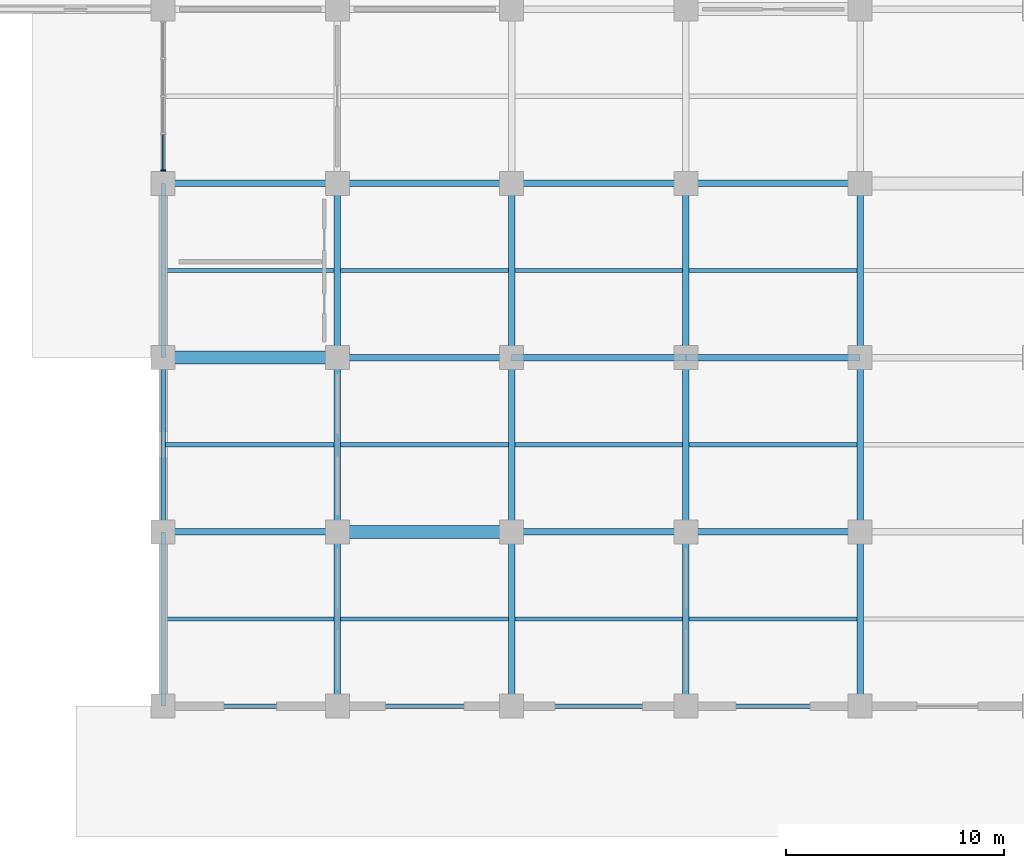
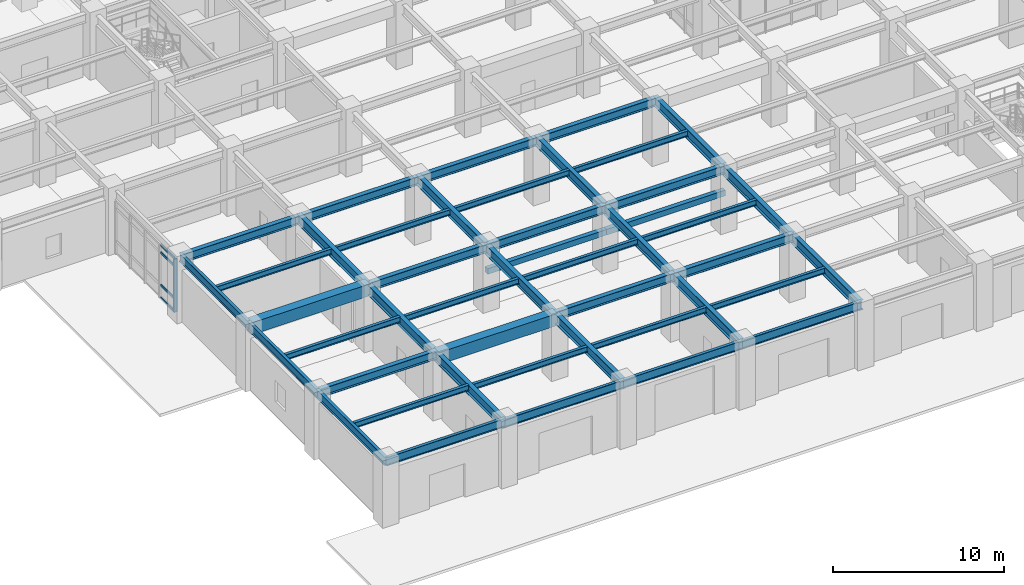
# One storey, part 22 of 125: 45 beams, 5 members, 1 element without a shape of its own.
"""IFC4 building model written with IfcOpenShell, lengths in metres."""

from ifc_helpers import new_model, si_unit, direction, frame, origin, origin_2d, place, context, subcontext, project, spatial, rectangle, i_section, extrude, material, layer, layer_set, material_profile, profile_set, type_object, element, aggregate, save


model = new_model("IFC4")

# Units and contexts
model_context = context("Model", 3, precision=1e-05, world=origin(), true_north=direction((0.0, 1.0)))
body_context = subcontext(model_context, "Body", "Model", "MODEL_VIEW")
ifc_project = project(units=[si_unit("LENGTHUNIT", "METRE"), si_unit("AREAUNIT", "SQUARE_METRE"), si_unit("VOLUMEUNIT", "CUBIC_METRE"), si_unit("PLANEANGLEUNIT", "RADIAN"), si_unit("MASSUNIT", "GRAM", prefix="KILO")], contexts=[model_context])

# Site, building, storey
site_placement = place(None, origin())
site = spatial("IfcSite", under=ifc_project, at=site_placement, CompositionType="ELEMENT")
building_placement = place(site_placement, origin())
building = spatial("IfcBuilding", under=site, at=building_placement, Name="Haebicheon Civic Stadium", CompositionType="ELEMENT")
storey_placement = place(building_placement, origin())
storey = spatial("IfcBuildingStorey", under=building, at=storey_placement, Name="L01", CompositionType="ELEMENT", Elevation=0.0)

# Beams
ifc_material_1 = material(Name="Precast concrete C40/50", Category="concrete")
ifc_material_profile_1 = material_profile(ifc_material_1, rectangle(XDim=0.300048828125, YDim=0.39990234375, at=origin_2d()), Name="PC-LN-300x400")
ifc_profile_set_1 = profile_set([ifc_material_profile_1], Name="Precast concrete C40/50")
beam_type_1 = type_object("IfcBeamType", Name="BM-LN-300x400", PredefinedType="LINTEL", material=ifc_profile_set_1)
for number, where, z_axis, x_axis, name in (
    (1, (40.0, 16.0, 2.550048828125), (1.0, 0.0, 0.0), (0.0, 1.0, 0.0), "Precast portal lintel 1"),
    (2, (48.0, 16.0, 2.550048828125), (1.0, 0.0, 0.0), (0.0, 1.0, 0.0), "Precast portal lintel 2"),
):
    element("IfcBeam", number, at=place(storey_placement, frame(where, z_axis=z_axis, x_axis=x_axis)), inside=storey, type_object=beam_type_1, material=ifc_profile_set_1, Name=name, PredefinedType="LINTEL", context=body_context, shape_type="SweptSolid", body=[
        extrude(rectangle(XDim=0.300048828125, YDim=0.39990234375, at=origin_2d()), origin(), (0.0, 0.0, 1.0), 8.0),
    ])
ifc_material_2 = material(Name="Steel SM355 (S355)", Category="steel")
ifc_material_profile_2 = material_profile(ifc_material_2, i_section(OverallWidth=0.300048828125, OverallDepth=0.60009765625, WebThickness=0.011962890625, FlangeThickness=0.02001953125, at=origin_2d()), Name="H-600x300x12x20")
ifc_profile_set_2 = profile_set([ifc_material_profile_2], Name="Steel SM355 (S355)")
beam_type_2 = type_object("IfcBeamType", Name="BM-ST-H600A", PredefinedType="BEAM", material=ifc_profile_set_2)
for number, where, z_axis, x_axis, name in (
    (3, (24.0, 8.0, 4.280029296875), (1.0, 0.0, 0.0), (0.0, 1.0, 0.0), "L01 beam B/4-5"),
    (4, (24.0, 24.0, 4.179931640625), (1.0, 0.0, 0.0), (0.0, 1.0, 0.0), "L01 beam D/4-5"),
    (5, (32.0, 16.0, 4.219970703125), (1.0, 0.0, 0.0), (0.0, 1.0, 0.0), "L01 beam C/5-6"),
    (6, (32.0, 24.0, 4.179931640625), (1.0, 0.0, 0.0), (0.0, 1.0, 0.0), "L01 beam D/5-6"),
    (7, (40.0, 8.0, 4.219970703125), (1.0, 0.0, 0.0), (0.0, 1.0, 0.0), "L01 beam B/6-7"),
    (8, (40.0, 16.0, 4.219970703125), (1.0, 0.0, 0.0), (0.0, 1.0, 0.0), "L01 beam C/6-7"),
    (9, (40.0, 24.0, 4.179931640625), (1.0, 0.0, 0.0), (0.0, 1.0, 0.0), "L01 beam D/6-7"),
    (10, (48.0, 8.0, 4.219970703125), (1.0, 0.0, 0.0), (0.0, 1.0, 0.0), "L01 beam B/7-8"),
    (11, (48.0, 16.0, 4.219970703125), (1.0, 0.0, 0.0), (0.0, 1.0, 0.0), "L01 beam C/7-8"),
    (12, (48.0, 24.0, 4.179931640625), (1.0, 0.0, 0.0), (0.0, 1.0, 0.0), "L01 beam D/7-8"),
):
    element("IfcBeam", number, at=place(storey_placement, frame(where, z_axis=z_axis, x_axis=x_axis)), inside=storey, type_object=beam_type_2, material=ifc_profile_set_2, Name=name, PredefinedType="BEAM", context=body_context, shape_type="SweptSolid", body=[
        extrude(i_section(OverallWidth=0.300048828125, OverallDepth=0.60009765625, WebThickness=0.011962890625, FlangeThickness=0.02001953125, at=origin_2d()), origin(), (0.0, 0.0, 1.0), 8.0),
    ])
ifc_material_3 = material(Name="Steel SM490", Category="steel")
ifc_material_profile_3 = material_profile(ifc_material_3, i_section(OverallWidth=0.300048828125, OverallDepth=0.699951171875, WebThickness=0.012939453125, FlangeThickness=0.02392578125, at=origin_2d()), Name="H-700x300x13x24")
ifc_profile_set_3 = profile_set([ifc_material_profile_3], Name="Steel SM490")
beam_type_3 = type_object("IfcBeamType", Name="BM-ST-H700", PredefinedType="BEAM", material=ifc_profile_set_3)
for number, where, z_axis, x_axis, name in (
    (13, (32.0, 0.0, 4.169921875), (0.0, 1.0, 0.0), (-1.0, 0.0, 0.0), "L01 girder 5/A-B"),
    (14, (32.0, 8.0, 4.169921875), (0.0, 1.0, 0.0), (-1.0, 0.0, 0.0), "L01 girder 5/B-C"),
    (15, (32.0, 16.0, 4.22998046875), (0.0, 1.0, 0.0), (-1.0, 0.0, 0.0), "L01 girder 5/C-D"),
    (16, (40.0, 0.0, 4.169921875), (0.0, 1.0, 0.0), (-1.0, 0.0, 0.0), "L01 girder 6/A-B"),
    (17, (40.0, 8.0, 4.169921875), (0.0, 1.0, 0.0), (-1.0, 0.0, 0.0), "L01 girder 6/B-C"),
    (18, (40.0, 16.0, 4.22998046875), (0.0, 1.0, 0.0), (-1.0, 0.0, 0.0), "L01 girder 6/C-D"),
    (19, (48.0, 0.0, 4.169921875), (0.0, 1.0, 0.0), (-1.0, 0.0, 0.0), "L01 girder 7/A-B"),
    (20, (48.0, 8.0, 4.169921875), (0.0, 1.0, 0.0), (-1.0, 0.0, 0.0), "L01 girder 7/B-C"),
    (21, (48.0, 16.0, 4.22998046875), (0.0, 1.0, 0.0), (-1.0, 0.0, 0.0), "L01 girder 7/C-D"),
    (22, (56.0, 0.0, 4.169921875), (0.0, 1.0, 0.0), (-1.0, 0.0, 0.0), "L01 girder 8/A-B"),
    (23, (56.0, 8.0, 4.169921875), (0.0, 1.0, 0.0), (-1.0, 0.0, 0.0), "L01 girder 8/B-C"),
    (24, (56.0, 16.0, 4.22998046875), (0.0, 1.0, 0.0), (-1.0, 0.0, 0.0), "L01 girder 8/C-D"),
):
    element("IfcBeam", number, at=place(storey_placement, frame(where, z_axis=z_axis, x_axis=x_axis)), inside=storey, type_object=beam_type_3, material=ifc_profile_set_3, Name=name, PredefinedType="BEAM", context=body_context, shape_type="SweptSolid", body=[
        extrude(i_section(OverallWidth=0.300048828125, OverallDepth=0.699951171875, WebThickness=0.012939453125, FlangeThickness=0.02392578125, at=origin_2d()), origin(), (0.0, 0.0, 1.0), 8.0),
    ])
ifc_material_4 = material(Name="Precast concrete C40/50", Category="concrete")
ifc_material_profile_4 = material_profile(ifc_material_4, rectangle(XDim=0.60009765625, YDim=0.85009765625, at=origin_2d()), Name="PC-TB-600x850")
ifc_profile_set_4 = profile_set([ifc_material_profile_4], Name="Precast concrete C40/50")
beam_type_4 = type_object("IfcBeamType", Name="BM-TB-600x850", PredefinedType="T_BEAM", material=ifc_profile_set_4)
for number, where, z_axis, x_axis, name in (
    (25, (24.0, 16.0, 4.155029296875), (1.0, 0.0, 0.0), (0.0, 1.0, 0.0), "L01 beam C/4-5"),
    (26, (32.0, 8.0, 4.094970703125), (1.0, 0.0, 0.0), (0.0, 1.0, 0.0), "L01 beam B/5-6"),
):
    element("IfcBeam", number, at=place(storey_placement, frame(where, z_axis=z_axis, x_axis=x_axis)), inside=storey, type_object=beam_type_4, material=ifc_profile_set_4, Name=name, PredefinedType="T_BEAM", context=body_context, shape_type="SweptSolid", body=[
        extrude(rectangle(XDim=0.60009765625, YDim=0.85009765625, at=origin_2d()), origin(), (0.0, 0.0, 1.0), 8.0),
    ])

# Curtain wall, members
ifc_material_5 = material(Name="Anodised aluminium and laminated glass", Category="aluminium")
ifc_layer = layer(ifc_material_5, 0.179931640625, Name="Anodised aluminium and laminated glass")
ifc_layer_set = layer_set([ifc_layer], Name="Anodised aluminium and laminated glass")
curtain_wall_type = type_object("IfcCurtainWallType", Name="CW-6900x3770", PredefinedType="NOTDEFINED", material=ifc_layer_set)
curtain_wall_placement = place(storey_placement, origin())
curtain_wall = element("IfcCurtainWall", 27, at=curtain_wall_placement, inside=storey, type_object=curtain_wall_type, material=ifc_layer_set, Name="L01 unitised curtain wall 002", PredefinedType="NOTDEFINED")
ifc_material_6 = material(Name="Anodised aluminium 6063-T6", Category="aluminium")
ifc_material_profile_5 = material_profile(ifc_material_6, rectangle(XDim=0.080078125, YDim=0.239990234375, at=origin_2d()), Name="ALU-MULL-80x240")
ifc_profile_set_5 = profile_set([ifc_material_profile_5], Name="Anodised aluminium 6063-T6")
member_type_1 = type_object("IfcMemberType", Name="CWM-240x80", PredefinedType="MULLION", material=ifc_profile_set_5)
member_1_placement = place(storey_placement, frame((24.0, 24.590087890625, 0.0), z_axis=(0.0, 0.0, 1.0), x_axis=(0.0, 1.0, 0.0)))
member_1 = element("IfcMember", 28, at=member_1_placement, type_object=member_type_1, material=ifc_profile_set_5, Name="CW-L01-002 vertical mullion 1", PredefinedType="MULLION", context=body_context, shape_type="SweptSolid", body=[
    extrude(rectangle(XDim=0.080078125, YDim=0.239990234375, at=origin_2d()), origin(), (0.0, 0.0, 1.0), 3.77001953125),
])
ifc_material_7 = material(Name="Anodised aluminium 6063-T6", Category="aluminium")
ifc_material_profile_6 = material_profile(ifc_material_7, rectangle(XDim=0.080078125, YDim=0.179931640625, at=origin_2d()), Name="ALU-TRAN-80x180")
ifc_profile_set_6 = profile_set([ifc_material_profile_6], Name="Anodised aluminium 6063-T6")
member_type_2 = type_object("IfcMemberType", Name="CWT-180x80", PredefinedType="NOTDEFINED", material=ifc_profile_set_6)
member_2_placement = place(storey_placement, frame((24.0, 24.6298828125, 0.0), z_axis=(0.0, 1.0, 0.0), x_axis=(-1.0, 0.0, 0.0)))
member_2 = element("IfcMember", 29, at=member_2_placement, type_object=member_type_2, material=ifc_profile_set_6, Name="CW-L01-002 horizontal transom 1.1", ObjectType="TRANSOM", PredefinedType="USERDEFINED", context=body_context, shape_type="SweptSolid", body=[
    extrude(rectangle(XDim=0.080078125, YDim=0.179931640625, at=origin_2d()), origin(), (0.0, 0.0, 1.0), 1.605224609375),
])
member_3_placement = place(storey_placement, frame((24.0, 24.6298828125, 0.89990234375), z_axis=(0.0, 1.0, 0.0), x_axis=(-1.0, 0.0, 0.0)))
member_3 = element("IfcMember", 30, at=member_3_placement, type_object=member_type_2, material=ifc_profile_set_6, Name="CW-L01-002 horizontal transom 1.2", ObjectType="TRANSOM", PredefinedType="USERDEFINED", context=body_context, shape_type="SweptSolid", body=[
    extrude(rectangle(XDim=0.080078125, YDim=0.179931640625, at=origin_2d()), origin(), (0.0, 0.0, 1.0), 1.605224609375),
])
member_4_placement = place(storey_placement, frame((24.0, 24.6298828125, 3.219970703125), z_axis=(0.0, 1.0, 0.0), x_axis=(-1.0, 0.0, 0.0)))
member_4 = element("IfcMember", 31, at=member_4_placement, type_object=member_type_2, material=ifc_profile_set_6, Name="CW-L01-002 horizontal transom 1.3", ObjectType="TRANSOM", PredefinedType="USERDEFINED", context=body_context, shape_type="SweptSolid", body=[
    extrude(rectangle(XDim=0.080078125, YDim=0.179931640625, at=origin_2d()), origin(), (0.0, 0.0, 1.0), 1.605224609375),
])
member_5_placement = place(storey_placement, frame((24.0, 24.6298828125, 3.77001953125), z_axis=(0.0, 1.0, 0.0), x_axis=(-1.0, 0.0, 0.0)))
member_5 = element("IfcMember", 32, at=member_5_placement, type_object=member_type_2, material=ifc_profile_set_6, Name="CW-L01-002 horizontal transom 1.4", ObjectType="TRANSOM", PredefinedType="USERDEFINED", context=body_context, shape_type="SweptSolid", body=[
    extrude(rectangle(XDim=0.080078125, YDim=0.179931640625, at=origin_2d()), origin(), (0.0, 0.0, 1.0), 1.605224609375),
])
aggregate(curtain_wall, [member_1, member_2, member_3, member_4, member_5])

# Beams
ifc_material_8 = material(Name="Steel SM355 (S355)", Category="steel")
ifc_material_profile_7 = material_profile(ifc_material_8, i_section(OverallWidth=0.199951171875, OverallDepth=0.39990234375, WebThickness=0.008056640625, FlangeThickness=0.012939453125, at=origin_2d()), Name="H-400x200x8x13")
ifc_profile_set_7 = profile_set([ifc_material_profile_7], Name="Steel SM355 (S355)")
beam_type_5 = type_object("IfcBeamType", Name="JST-ST-H400", PredefinedType="JOIST", material=ifc_profile_set_7)
for number, where, z_axis, x_axis, name in (
    (33, (24.10009765625, 4.0, 4.3798828125), (1.0, 0.0, 0.0), (0.0, 1.0, 0.0), "L01 secondary joist 03-00"),
    (34, (24.10009765625, 12.0, 4.3798828125), (1.0, 0.0, 0.0), (0.0, 1.0, 0.0), "L01 secondary joist 03-01"),
    (35, (24.10009765625, 20.0, 4.3798828125), (1.0, 0.0, 0.0), (0.0, 1.0, 0.0), "L01 secondary joist 03-02"),
):
    element("IfcBeam", number, at=place(storey_placement, frame(where, z_axis=z_axis, x_axis=x_axis)), inside=storey, type_object=beam_type_5, material=ifc_profile_set_7, Name=name, PredefinedType="JOIST", context=body_context, shape_type="SweptSolid", body=[
        extrude(i_section(OverallWidth=0.199951171875, OverallDepth=0.39990234375, WebThickness=0.008056640625, FlangeThickness=0.012939453125, at=origin_2d()), origin(), (0.0, 0.0, 1.0), 7.75),
    ])
for number, where, z_axis, x_axis, name in (
    (36, (32.14990234375, 4.0, 4.320068359375), (1.0, 0.0, 0.0), (0.0, 1.0, 0.0), "L01 secondary joist 04-00"),
    (37, (32.14990234375, 12.0, 4.320068359375), (1.0, 0.0, 0.0), (0.0, 1.0, 0.0), "L01 secondary joist 04-01"),
    (38, (32.14990234375, 20.0, 4.3798828125), (1.0, 0.0, 0.0), (0.0, 1.0, 0.0), "L01 secondary joist 04-02"),
    (39, (40.14990234375, 4.0, 4.320068359375), (1.0, 0.0, 0.0), (0.0, 1.0, 0.0), "L01 secondary joist 05-00"),
    (40, (40.14990234375, 12.0, 4.320068359375), (1.0, 0.0, 0.0), (0.0, 1.0, 0.0), "L01 secondary joist 05-01"),
    (41, (40.14990234375, 20.0, 4.3798828125), (1.0, 0.0, 0.0), (0.0, 1.0, 0.0), "L01 secondary joist 05-02"),
    (42, (48.14990234375, 4.0, 4.320068359375), (1.0, 0.0, 0.0), (0.0, 1.0, 0.0), "L01 secondary joist 06-00"),
    (43, (48.14990234375, 12.0, 4.320068359375), (1.0, 0.0, 0.0), (0.0, 1.0, 0.0), "L01 secondary joist 06-01"),
    (44, (48.14990234375, 20.0, 4.3798828125), (1.0, 0.0, 0.0), (0.0, 1.0, 0.0), "L01 secondary joist 06-02"),
):
    element("IfcBeam", number, at=place(storey_placement, frame(where, z_axis=z_axis, x_axis=x_axis)), inside=storey, type_object=beam_type_5, material=ifc_profile_set_7, Name=name, PredefinedType="JOIST", context=body_context, shape_type="SweptSolid", body=[
        extrude(i_section(OverallWidth=0.199951171875, OverallDepth=0.39990234375, WebThickness=0.008056640625, FlangeThickness=0.012939453125, at=origin_2d()), origin(), (0.0, 0.0, 1.0), 7.7001953125),
    ])
ifc_material_9 = material(Name="Steel SM355 (S355)", Category="steel")
ifc_material_profile_8 = material_profile(ifc_material_9, i_section(OverallWidth=0.199951171875, OverallDepth=0.60009765625, WebThickness=0.010986328125, FlangeThickness=0.01708984375, at=origin_2d()), Name="H-600x200x11x17")
ifc_profile_set_8 = profile_set([ifc_material_profile_8], Name="Steel SM355 (S355)")
beam_type_6 = type_object("IfcBeamType", Name="SPD-ST-H600B", PredefinedType="SPANDREL", material=ifc_profile_set_8)
for number, where, z_axis, x_axis, name in (
    (45, (24.0, 0.0, 4.280029296875), (0.0, 1.0, 0.0), (-1.0, 0.0, 0.0), "L01 girder 4/A-B"),
    (46, (24.0, 8.0, 4.280029296875), (0.0, 1.0, 0.0), (-1.0, 0.0, 0.0), "L01 girder 4/B-C"),
    (47, (24.0, 16.0, 4.280029296875), (0.0, 1.0, 0.0), (-1.0, 0.0, 0.0), "L01 girder 4/C-D"),
    (48, (24.0, 0.0, 4.280029296875), (1.0, 0.0, 0.0), (0.0, 1.0, 0.0), "L01 beam A/4-5"),
    (49, (32.0, 0.0, 4.219970703125), (1.0, 0.0, 0.0), (0.0, 1.0, 0.0), "L01 beam A/5-6"),
    (50, (40.0, 0.0, 4.219970703125), (1.0, 0.0, 0.0), (0.0, 1.0, 0.0), "L01 beam A/6-7"),
    (51, (48.0, 0.0, 4.219970703125), (1.0, 0.0, 0.0), (0.0, 1.0, 0.0), "L01 beam A/7-8"),
):
    element("IfcBeam", number, at=place(storey_placement, frame(where, z_axis=z_axis, x_axis=x_axis)), inside=storey, type_object=beam_type_6, material=ifc_profile_set_8, Name=name, PredefinedType="SPANDREL", context=body_context, shape_type="SweptSolid", body=[
        extrude(i_section(OverallWidth=0.199951171875, OverallDepth=0.60009765625, WebThickness=0.010986328125, FlangeThickness=0.01708984375, at=origin_2d()), origin(), (0.0, 0.0, 1.0), 8.0),
    ])

save(model, "model.ifc")
